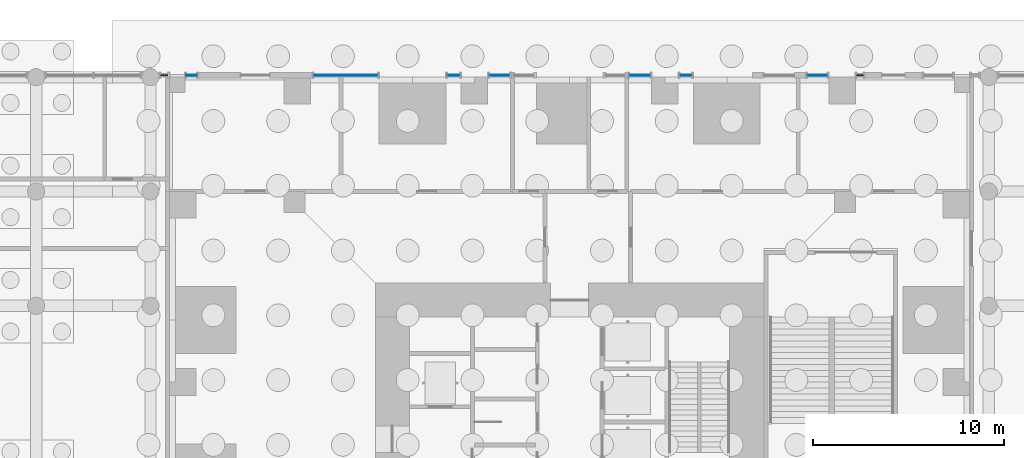
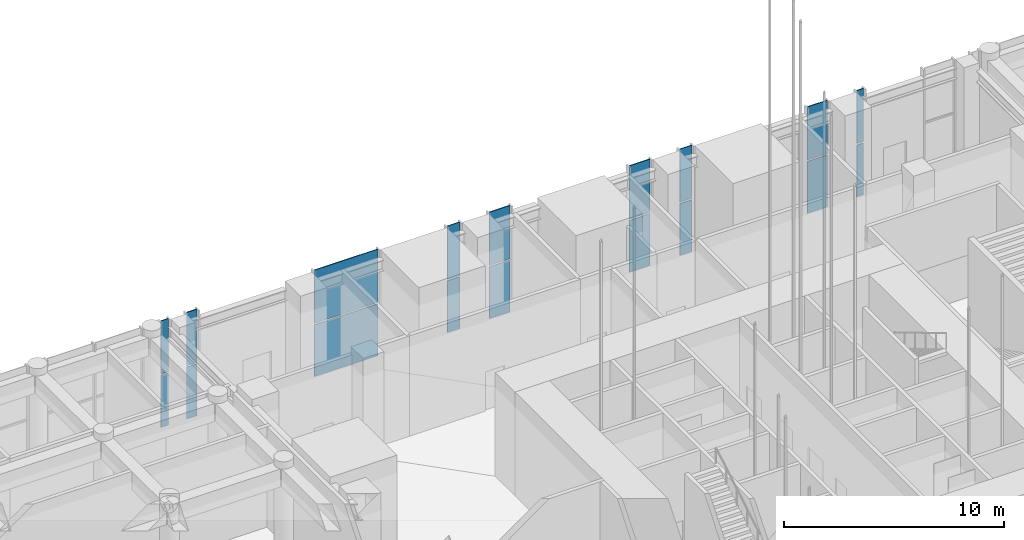
# One storey, part 18 of 46: 18 plates, 9 elements without a shape of their own.
"""IFC4 building model written with IfcOpenShell, lengths in metres."""

from ifc_helpers import new_model, si_unit, direction, frame, origin, origin_2d, place, context, subcontext, project, spatial, rectangle, extrude, material, layer, layer_set, type_object, element, aggregate, save


model = new_model("IFC4")

# Units and contexts
model_context = context("Model", 3, precision=1e-05, world=origin(), true_north=direction((0.0, 1.0)))
body_context = subcontext(model_context, "Body", "Model", "MODEL_VIEW")
ifc_project = project(units=[si_unit("LENGTHUNIT", "METRE"), si_unit("AREAUNIT", "SQUARE_METRE"), si_unit("VOLUMEUNIT", "CUBIC_METRE"), si_unit("PLANEANGLEUNIT", "RADIAN"), si_unit("MASSUNIT", "GRAM", prefix="KILO")], contexts=[model_context])

# Site, building, storey
site_placement = place(None, origin())
site = spatial("IfcSite", under=ifc_project, at=site_placement, CompositionType="ELEMENT")
building_placement = place(site_placement, origin())
building = spatial("IfcBuilding", under=site, at=building_placement, Name="Svetlomir Tower", CompositionType="ELEMENT")
storey_placement = place(building_placement, origin())
storey = spatial("IfcBuildingStorey", under=building, at=storey_placement, Name="L00", CompositionType="ELEMENT", Elevation=0.0)

# Curtain wall, plates
ifc_material_1 = material(Name="Bronze anodised aluminium curtain wall", Category="aluminium")
curtain_wall_type = type_object("IfcCurtainWallType", Name="CURTAIN WALL CW5 PODIUM", PredefinedType="NOTDEFINED", material=ifc_material_1)
curtain_wall_1_placement = place(storey_placement, origin())
curtain_wall_1 = element("IfcCurtainWall", 1, at=curtain_wall_1_placement, inside=storey, type_object=curtain_wall_type, Name="Curtain wall CW5 L00", PredefinedType="NOTDEFINED")
ifc_material_2 = material(Name="Tinted double glazed unit", Category="glass")
ifc_layer = layer(ifc_material_2, 0.0400390625)
ifc_layer_set = layer_set([ifc_layer], Name="Tinted double glazed unit")
plate_type = type_object("IfcPlateType", Name="CW5 GLAZED PANEL 40", PredefinedType="CURTAIN_PANEL", material=ifc_layer_set)
plate_1_placement = place(storey_placement, frame((36.25, 42.10009765625, 0.080078125), z_axis=(0.0, 0.0, 1.0), x_axis=(-1.0, 0.0, 0.0)))
plate_1 = element("IfcPlate", 2, at=plate_1_placement, type_object=plate_type, Name="CW5 panel 1.1", PredefinedType="CURTAIN_PANEL", context=body_context, shape_type="SweptSolid", body=[
    extrude(rectangle(XDim=0.340087890625, YDim=0.0400390625, at=origin_2d()), origin(), (0.0, 0.0, 1.0), 2.8798828125),
])
plate_2_placement = place(storey_placement, frame((36.25, 42.10009765625, 3.0400390625), z_axis=(0.0, 0.0, 1.0), x_axis=(-1.0, 0.0, 0.0)))
plate_2 = element("IfcPlate", 3, at=plate_2_placement, type_object=plate_type, Name="CW5 panel 1.2", PredefinedType="CURTAIN_PANEL", context=body_context, shape_type="SweptSolid", body=[
    extrude(rectangle(XDim=0.340087890625, YDim=0.0400390625, at=origin_2d()), origin(), (0.0, 0.0, 1.0), 2.9599609375),
])
aggregate(curtain_wall_1, [plate_1, plate_2])

curtain_wall_2_placement = place(storey_placement, origin())
curtain_wall_2 = element("IfcCurtainWall", 4, at=curtain_wall_2_placement, inside=storey, type_object=curtain_wall_type, Name="Curtain wall CW5 L00", PredefinedType="NOTDEFINED")
plate_3_placement = place(storey_placement, frame((34.0, 42.10009765625, 0.080078125), z_axis=(0.0, 0.0, 1.0), x_axis=(-1.0, 0.0, 0.0)))
plate_3 = element("IfcPlate", 5, at=plate_3_placement, type_object=plate_type, Name="CW5 panel 1.1", PredefinedType="CURTAIN_PANEL", context=body_context, shape_type="SweptSolid", body=[
    extrude(rectangle(XDim=1.0400390625, YDim=0.0400390625, at=origin_2d()), origin(), (0.0, 0.0, 1.0), 2.8798828125),
])
plate_4_placement = place(storey_placement, frame((34.0, 42.10009765625, 3.0400390625), z_axis=(0.0, 0.0, 1.0), x_axis=(-1.0, 0.0, 0.0)))
plate_4 = element("IfcPlate", 6, at=plate_4_placement, type_object=plate_type, Name="CW5 panel 1.2", PredefinedType="CURTAIN_PANEL", context=body_context, shape_type="SweptSolid", body=[
    extrude(rectangle(XDim=1.0400390625, YDim=0.0400390625, at=origin_2d()), origin(), (0.0, 0.0, 1.0), 2.9599609375),
])
aggregate(curtain_wall_2, [plate_3, plate_4])

curtain_wall_3_placement = place(storey_placement, origin())
curtain_wall_3 = element("IfcCurtainWall", 7, at=curtain_wall_3_placement, inside=storey, type_object=curtain_wall_type, Name="Curtain wall CW5 L00", PredefinedType="NOTDEFINED")
plate_5_placement = place(storey_placement, frame((27.10009765625, 42.10009765625, 0.080078125), z_axis=(0.0, 0.0, 1.0), x_axis=(-1.0, 0.0, 0.0)))
plate_5 = element("IfcPlate", 8, at=plate_5_placement, type_object=plate_type, Name="CW5 panel 1.1", PredefinedType="CURTAIN_PANEL", context=body_context, shape_type="SweptSolid", body=[
    extrude(rectangle(XDim=0.639892578125, YDim=0.0400390625, at=origin_2d()), origin(), (0.0, 0.0, 1.0), 2.8798828125),
])
plate_6_placement = place(storey_placement, frame((27.10009765625, 42.10009765625, 3.0400390625), z_axis=(0.0, 0.0, 1.0), x_axis=(-1.0, 0.0, 0.0)))
plate_6 = element("IfcPlate", 9, at=plate_6_placement, type_object=plate_type, Name="CW5 panel 1.2", PredefinedType="CURTAIN_PANEL", context=body_context, shape_type="SweptSolid", body=[
    extrude(rectangle(XDim=0.639892578125, YDim=0.0400390625, at=origin_2d()), origin(), (0.0, 0.0, 1.0), 2.9599609375),
])
aggregate(curtain_wall_3, [plate_5, plate_6])

curtain_wall_4_placement = place(storey_placement, origin())
curtain_wall_4 = element("IfcCurtainWall", 10, at=curtain_wall_4_placement, inside=storey, type_object=curtain_wall_type, Name="Curtain wall CW5 L00", PredefinedType="NOTDEFINED")
plate_7_placement = place(storey_placement, frame((24.675048828125, 42.10009765625, 0.080078125), z_axis=(0.0, 0.0, 1.0), x_axis=(-1.0, 0.0, 0.0)))
plate_7 = element("IfcPlate", 11, at=plate_7_placement, type_object=plate_type, Name="CW5 panel 1.1", PredefinedType="CURTAIN_PANEL", context=body_context, shape_type="SweptSolid", body=[
    extrude(rectangle(XDim=1.090087890625, YDim=0.0400390625, at=origin_2d()), origin(), (0.0, 0.0, 1.0), 2.8798828125),
])
plate_8_placement = place(storey_placement, frame((24.675048828125, 42.10009765625, 3.0400390625), z_axis=(0.0, 0.0, 1.0), x_axis=(-1.0, 0.0, 0.0)))
plate_8 = element("IfcPlate", 12, at=plate_8_placement, type_object=plate_type, Name="CW5 panel 1.2", PredefinedType="CURTAIN_PANEL", context=body_context, shape_type="SweptSolid", body=[
    extrude(rectangle(XDim=1.090087890625, YDim=0.0400390625, at=origin_2d()), origin(), (0.0, 0.0, 1.0), 2.9599609375),
])
aggregate(curtain_wall_4, [plate_7, plate_8])

curtain_wall_5_placement = place(storey_placement, origin())
curtain_wall_5 = element("IfcCurtainWall", 13, at=curtain_wall_5_placement, inside=storey, type_object=curtain_wall_type, Name="Curtain wall CW5 L00", PredefinedType="NOTDEFINED")
plate_9_placement = place(storey_placement, frame((17.324951171875, 42.10009765625, 0.080078125), z_axis=(0.0, 0.0, 1.0), x_axis=(-1.0, 0.0, 0.0)))
plate_9 = element("IfcPlate", 14, at=plate_9_placement, type_object=plate_type, Name="CW5 panel 1.1", PredefinedType="CURTAIN_PANEL", context=body_context, shape_type="SweptSolid", body=[
    extrude(rectangle(XDim=1.090087890625, YDim=0.0400390625, at=origin_2d()), origin(), (0.0, 0.0, 1.0), 2.8798828125),
])
plate_10_placement = place(storey_placement, frame((17.324951171875, 42.10009765625, 3.0400390625), z_axis=(0.0, 0.0, 1.0), x_axis=(-1.0, 0.0, 0.0)))
plate_10 = element("IfcPlate", 15, at=plate_10_placement, type_object=plate_type, Name="CW5 panel 1.2", PredefinedType="CURTAIN_PANEL", context=body_context, shape_type="SweptSolid", body=[
    extrude(rectangle(XDim=1.090087890625, YDim=0.0400390625, at=origin_2d()), origin(), (0.0, 0.0, 1.0), 2.9599609375),
])
aggregate(curtain_wall_5, [plate_9, plate_10])

curtain_wall_6_placement = place(storey_placement, origin())
curtain_wall_6 = element("IfcCurtainWall", 16, at=curtain_wall_6_placement, inside=storey, type_object=curtain_wall_type, Name="Curtain wall CW5 L00", PredefinedType="NOTDEFINED")
plate_11_placement = place(storey_placement, frame((14.89990234375, 42.10009765625, 0.080078125), z_axis=(0.0, 0.0, 1.0), x_axis=(-1.0, 0.0, 0.0)))
plate_11 = element("IfcPlate", 17, at=plate_11_placement, type_object=plate_type, Name="CW5 panel 1.1", PredefinedType="CURTAIN_PANEL", context=body_context, shape_type="SweptSolid", body=[
    extrude(rectangle(XDim=0.639892578125, YDim=0.0400390625, at=origin_2d()), origin(), (0.0, 0.0, 1.0), 2.8798828125),
])
plate_12_placement = place(storey_placement, frame((14.89990234375, 42.10009765625, 3.0400390625), z_axis=(0.0, 0.0, 1.0), x_axis=(-1.0, 0.0, 0.0)))
plate_12 = element("IfcPlate", 18, at=plate_12_placement, type_object=plate_type, Name="CW5 panel 1.2", PredefinedType="CURTAIN_PANEL", context=body_context, shape_type="SweptSolid", body=[
    extrude(rectangle(XDim=0.639892578125, YDim=0.0400390625, at=origin_2d()), origin(), (0.0, 0.0, 1.0), 2.9599609375),
])
aggregate(curtain_wall_6, [plate_11, plate_12])

curtain_wall_7_placement = place(storey_placement, origin())
curtain_wall_7 = element("IfcCurtainWall", 19, at=curtain_wall_7_placement, inside=storey, type_object=curtain_wall_type, Name="Curtain wall CW5 L00", PredefinedType="NOTDEFINED")
plate_13_placement = place(storey_placement, frame((9.25, 42.10009765625, 0.080078125), z_axis=(0.0, 0.0, 1.0), x_axis=(-1.0, 0.0, 0.0)))
plate_13 = element("IfcPlate", 20, at=plate_13_placement, type_object=plate_type, Name="CW5 panel 1.1", PredefinedType="CURTAIN_PANEL", context=body_context, shape_type="SweptSolid", body=[
    extrude(rectangle(XDim=3.340087890625, YDim=0.0400390625, at=origin_2d()), origin(), (0.0, 0.0, 1.0), 2.8798828125),
])
plate_14_placement = place(storey_placement, frame((9.25, 42.10009765625, 3.0400390625), z_axis=(0.0, 0.0, 1.0), x_axis=(-1.0, 0.0, 0.0)))
plate_14 = element("IfcPlate", 21, at=plate_14_placement, type_object=plate_type, Name="CW5 panel 1.2", PredefinedType="CURTAIN_PANEL", context=body_context, shape_type="SweptSolid", body=[
    extrude(rectangle(XDim=3.340087890625, YDim=0.0400390625, at=origin_2d()), origin(), (0.0, 0.0, 1.0), 2.9599609375),
])
aggregate(curtain_wall_7, [plate_13, plate_14])

curtain_wall_8_placement = place(storey_placement, origin())
curtain_wall_8 = element("IfcCurtainWall", 22, at=curtain_wall_8_placement, inside=storey, type_object=curtain_wall_type, Name="Curtain wall CW5 L00", PredefinedType="NOTDEFINED")
plate_15_placement = place(storey_placement, frame((1.14990234375, 42.10009765625, 0.080078125), z_axis=(0.0, 0.0, 1.0), x_axis=(-1.0, 0.0, 0.0)))
plate_15 = element("IfcPlate", 23, at=plate_15_placement, type_object=plate_type, Name="CW5 panel 1.1", PredefinedType="CURTAIN_PANEL", context=body_context, shape_type="SweptSolid", body=[
    extrude(rectangle(XDim=0.5400390625, YDim=0.0400390625, at=origin_2d()), origin(), (0.0, 0.0, 1.0), 2.8798828125),
])
plate_16_placement = place(storey_placement, frame((1.14990234375, 42.10009765625, 3.0400390625), z_axis=(0.0, 0.0, 1.0), x_axis=(-1.0, 0.0, 0.0)))
plate_16 = element("IfcPlate", 24, at=plate_16_placement, type_object=plate_type, Name="CW5 panel 1.2", PredefinedType="CURTAIN_PANEL", context=body_context, shape_type="SweptSolid", body=[
    extrude(rectangle(XDim=0.5400390625, YDim=0.0400390625, at=origin_2d()), origin(), (0.0, 0.0, 1.0), 2.9599609375),
])
aggregate(curtain_wall_8, [plate_15, plate_16])

curtain_wall_9_placement = place(storey_placement, origin())
curtain_wall_9 = element("IfcCurtainWall", 25, at=curtain_wall_9_placement, inside=storey, type_object=curtain_wall_type, Name="Curtain wall CW5 L00", PredefinedType="NOTDEFINED")
plate_17_placement = place(storey_placement, frame((-0.27490234375, 42.10009765625, 0.080078125), z_axis=(0.0, 0.0, 1.0), x_axis=(-1.0, 0.0, 0.0)))
plate_17 = element("IfcPlate", 26, at=plate_17_placement, type_object=plate_type, Name="CW5 panel 1.1", PredefinedType="CURTAIN_PANEL", context=body_context, shape_type="SweptSolid", body=[
    extrude(rectangle(XDim=0.389892578125, YDim=0.0400390625, at=origin_2d()), origin(), (0.0, 0.0, 1.0), 2.8798828125),
])
plate_18_placement = place(storey_placement, frame((-0.27490234375, 42.10009765625, 3.0400390625), z_axis=(0.0, 0.0, 1.0), x_axis=(-1.0, 0.0, 0.0)))
plate_18 = element("IfcPlate", 27, at=plate_18_placement, type_object=plate_type, Name="CW5 panel 1.2", PredefinedType="CURTAIN_PANEL", context=body_context, shape_type="SweptSolid", body=[
    extrude(rectangle(XDim=0.389892578125, YDim=0.0400390625, at=origin_2d()), origin(), (0.0, 0.0, 1.0), 2.9599609375),
])
aggregate(curtain_wall_9, [plate_17, plate_18])

save(model, "model.ifc")
